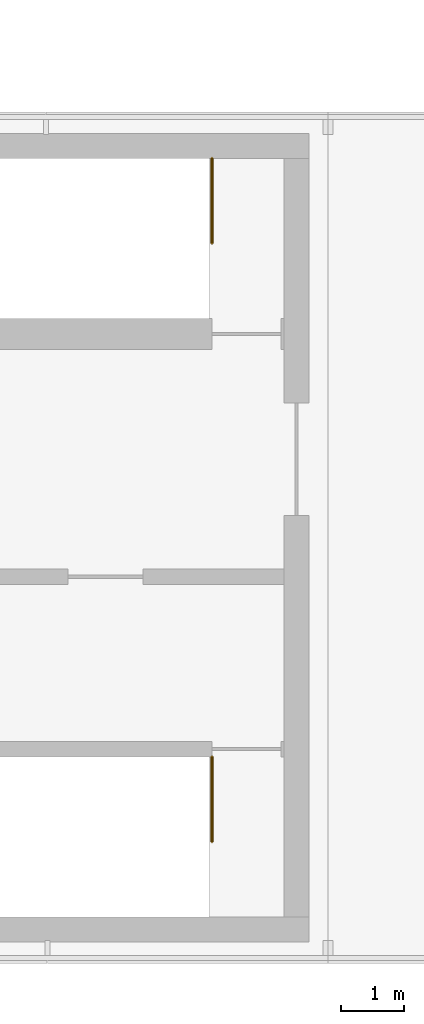
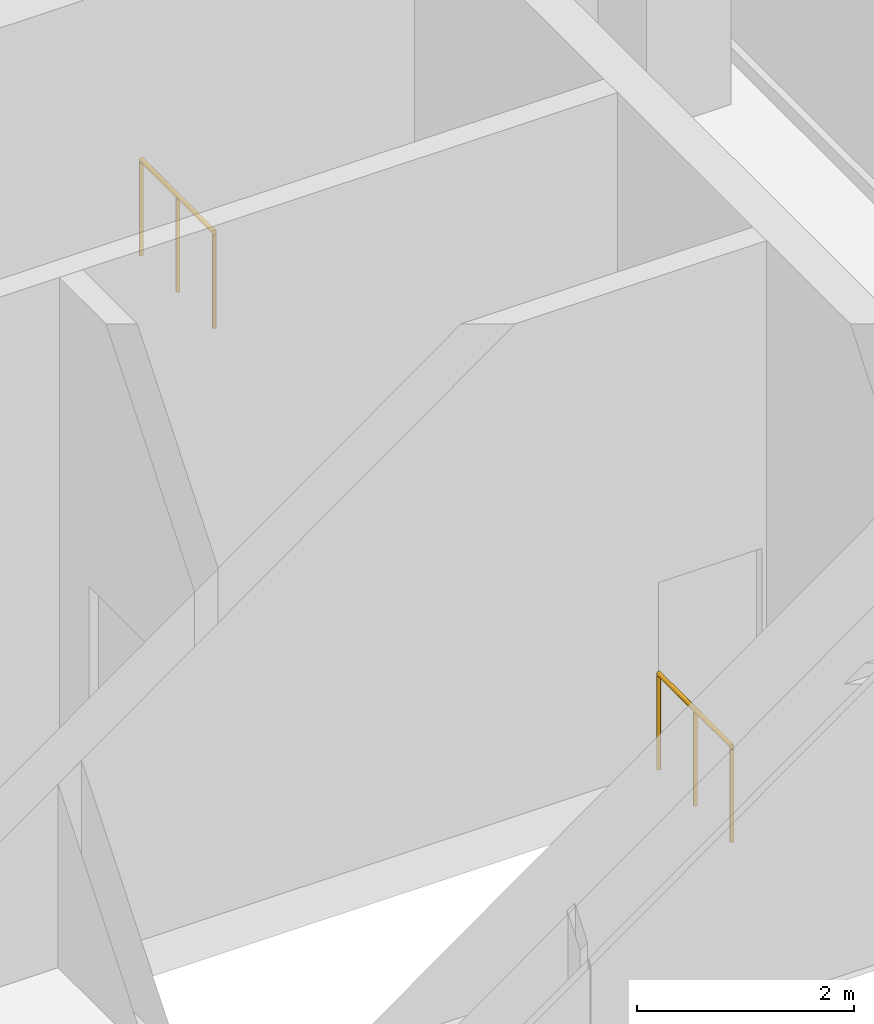
# One storey, part 15 of 17: 2 railings.
"""IFC4 building model written with IfcOpenShell, lengths in metres."""

from ifc_helpers import new_model, si_unit, direction, frame, origin, origin_2d, place, context, subcontext, project, spatial, circle, extrude, material, type_object, element, save


model = new_model("IFC4")

# Units and contexts
model_context = context("Model", 3, precision=1e-05, world=origin(), true_north=direction((0.0, 1.0)))
body_context = subcontext(model_context, "Body", "Model", "MODEL_VIEW")
ifc_project = project(units=[si_unit("LENGTHUNIT", "METRE"), si_unit("AREAUNIT", "SQUARE_METRE"), si_unit("VOLUMEUNIT", "CUBIC_METRE"), si_unit("PLANEANGLEUNIT", "RADIAN"), si_unit("MASSUNIT", "GRAM", prefix="KILO")], contexts=[model_context])

# Site, building, storey
site_placement = place(None, origin())
site = spatial("IfcSite", under=ifc_project, at=site_placement, CompositionType="ELEMENT")
building_placement = place(site_placement, origin())
building = spatial("IfcBuilding", under=site, at=building_placement, Name="Shamsa Quay Exchange Towers", CompositionType="ELEMENT")
storey_placement = place(building_placement, frame((0.0, 0.0, 278.300048828125)))
storey = spatial("IfcBuildingStorey", under=building, at=storey_placement, Name="L67", CompositionType="ELEMENT", Elevation=278.300048828125)

# Railings
ifc_material = material(Name="Stainless steel", Category="steel")
railing_type = type_object("IfcRailingType", Name="STAIR GUARD 1100", PredefinedType="GUARDRAIL", material=ifc_material)
for number, where, name in (
    (1, (52.14990234375, -3.5, 0.0), "L67 ST5 top well guard 1"),
    (2, (52.14990234375, 6.050048828125, 0.0), "L67 ST6 top well guard 1"),
):
    element("IfcRailing", number, at=place(storey_placement, frame(where)), inside=storey, type_object=railing_type, Name=name, PredefinedType="GUARDRAIL", context=body_context, shape_type="SweptSolid", body=[
        extrude(circle(Radius=0.02392578125, at=origin_2d()), frame((0.0, 0.0, 1.076171875), z_axis=(0.0, -1.0, 0.0), x_axis=(1.0, 0.0, 0.0)), (0.0, 0.0, 1.0), 1.35009765625),
        extrude(circle(Radius=0.02099609375, at=origin_2d()), origin(), (0.0, 0.0, 1.0), 1.052001953125),
        extrude(circle(Radius=0.02099609375, at=origin_2d()), frame((0.0, -0.675048828125, 0.0)), (0.0, 0.0, 1.0), 1.052001953125),
        extrude(circle(Radius=0.02099609375, at=origin_2d()), frame((0.0, -1.35009765625, 0.0)), (0.0, 0.0, 1.0), 1.052001953125),
    ])

save(model, "model.ifc")
